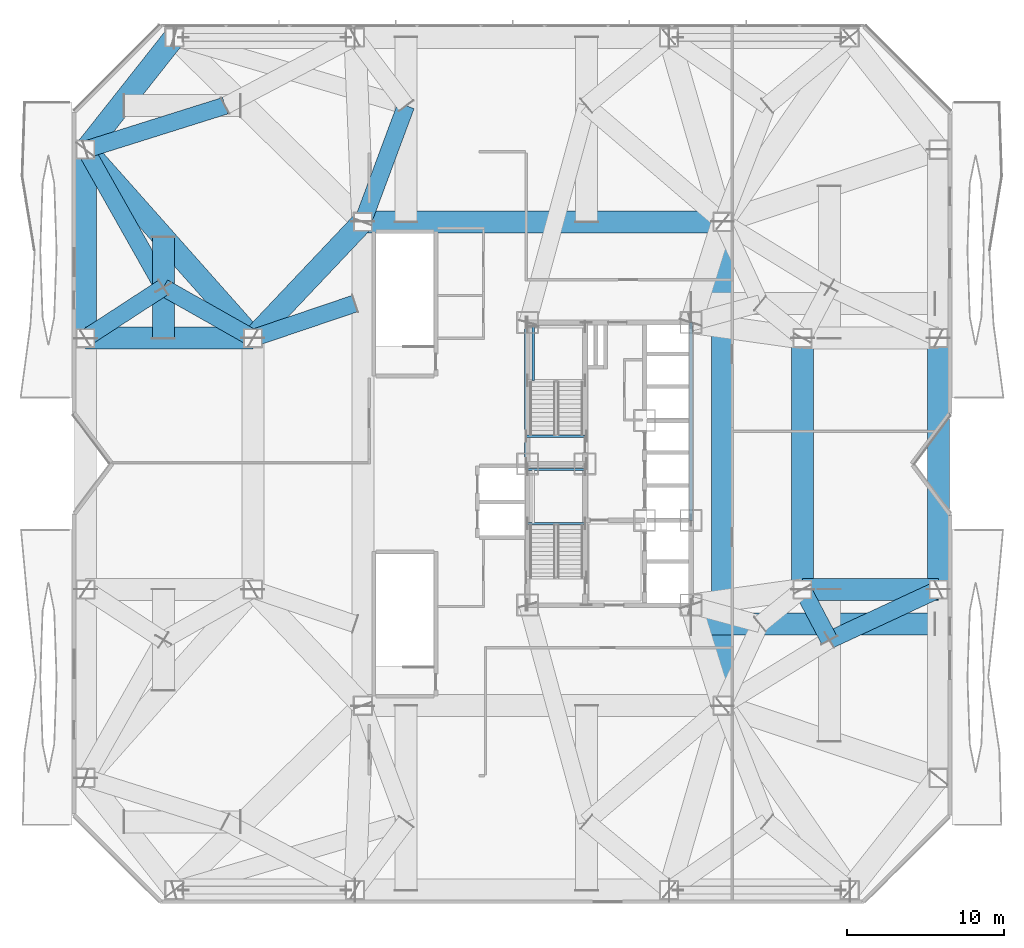
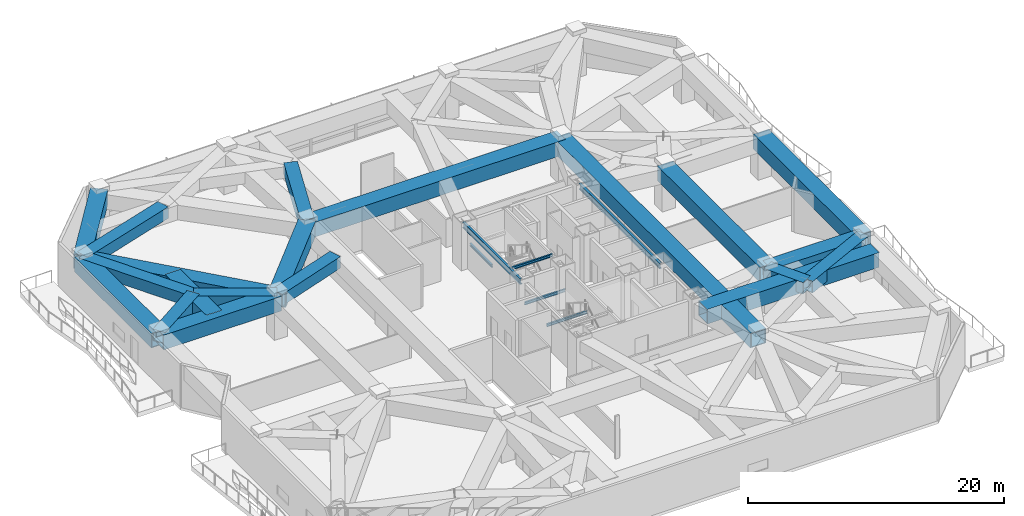
# One storey, part 2 of 27: 26 beams.
"""IFC4 building model written with IfcOpenShell, lengths in metres."""

import ifcopenshell
import ifcopenshell.guid

model = None  # the IFC model being written
_history = None  # IfcOwnerHistory: only IFC2X3 demands one
_inside = {}  # id of a spatial element -> (the spatial element, [elements in it])
_under = {}  # id of a project, library or spatial element -> (it, [spatial elements below it])
_declared = {}  # id of a project -> (the project, [libraries it declares])
_typed = {}  # id of a type object -> (the type object, [elements of that type])
_made_of = {}  # id of a material, layer set ... -> (it, [elements and type objects made of it])


def new_model(schema):
    """Start an empty IFC model of exactly this schema.

    Asked for "IFC4X3", IfcOpenShell would pick the latest addendum, in which some entities
    have other attributes; the version numbers below select the first issue.
    IFC2X3 requires an IfcOwnerHistory on every rooted entity: one is made here for all.
    """
    global model, _history
    if schema == "IFC4X3":
        model = ifcopenshell.file(schema_version=(4, 3, 0, 0))
    else:
        model = ifcopenshell.file(schema=schema)
    _inside.clear()
    _under.clear()
    _declared.clear()
    _typed.clear()
    _made_of.clear()
    _history = None
    if model.schema == "IFC2X3":
        org = make("IfcOrganization", Name="unknown")
        user = make(
            "IfcPersonAndOrganization",
            ThePerson=make("IfcPerson", FamilyName="unknown"),
            TheOrganization=org,
        )
        app = make(
            "IfcApplication",
            ApplicationDeveloper=org,
            Version="unknown",
            ApplicationFullName="unknown",
            ApplicationIdentifier="unknown",
        )
        _history = make(
            "IfcOwnerHistory",
            OwningUser=user,
            OwningApplication=app,
            ChangeAction="ADDED",
            CreationDate=0,
        )
    return model


def make(cls, **values):
    """One entity of the class cls with the attributes given. An attribute that is None is left unset."""
    return model.create_entity(
        cls, **{name: value for name, value in values.items() if value is not None}
    )


def rooted(cls, **values):
    """An entity with a GlobalId (a new one), such as an element, a storey or a relation."""
    return make(cls, GlobalId=ifcopenshell.guid.new(), OwnerHistory=_history, **values)


def si_unit(unit_type, name, prefix=None):
    """IfcSIUnit, for example si_unit("LENGTHUNIT", "METRE", prefix="MILLI")."""
    return make("IfcSIUnit", UnitType=unit_type, Prefix=prefix, Name=name)


def assignment(units):
    """IfcUnitAssignment: the units of a project."""
    return None if units is None else make("IfcUnitAssignment", Units=units)


def point(xyz):
    """IfcCartesianPoint."""
    return None if xyz is None else make("IfcCartesianPoint", Coordinates=xyz)


def direction(xyz):
    """IfcDirection."""
    return None if xyz is None else make("IfcDirection", DirectionRatios=xyz)


def frame(location, z_axis=None, x_axis=None):
    """IfcAxis2Placement3D, a coordinate frame: its origin and axes. An axis left out is left unset."""
    return make(
        "IfcAxis2Placement3D",
        Location=point(location),
        Axis=direction(z_axis),
        RefDirection=direction(x_axis),
    )


def frame_2d(location, x_axis=None):
    """IfcAxis2Placement2D, a coordinate frame in the plane: its origin and x axis."""
    return make(
        "IfcAxis2Placement2D", Location=point(location), RefDirection=direction(x_axis)
    )


def origin():
    """The frame at (0, 0, 0) with its axes left unset."""
    return frame((0.0, 0.0, 0.0))


def origin_2d():
    """The frame at (0, 0) in the plane with its x axis left unset."""
    return frame_2d((0.0, 0.0))


def place(relative_to, where):
    """IfcLocalPlacement: puts the frame where relative to a parent placement (None: the world)."""
    return make(
        "IfcLocalPlacement", PlacementRelTo=relative_to, RelativePlacement=where
    )


def context(
    kind, dimensions, precision=None, world=None, true_north=None, identifier=None
):
    """IfcGeometricRepresentationContext, for example the 3D "Model" context."""
    return make(
        "IfcGeometricRepresentationContext",
        ContextIdentifier=identifier,
        ContextType=kind,
        CoordinateSpaceDimension=dimensions,
        Precision=precision,
        WorldCoordinateSystem=world,
        TrueNorth=true_north,
    )


def subcontext(parent, identifier, kind, view, scale=None):
    """IfcGeometricRepresentationSubContext, for example "Body" below "Model"."""
    return make(
        "IfcGeometricRepresentationSubContext",
        ContextIdentifier=identifier,
        ContextType=kind,
        ParentContext=parent,
        TargetScale=scale,
        TargetView=view,
    )


def project(units=None, contexts=None):
    """IfcProject with its units and contexts."""
    return rooted(
        "IfcProject",
        Name="project",
        RepresentationContexts=contexts,
        UnitsInContext=assignment(units),
    )


def spatial(cls, under=None, at=None, **own):
    """A site, building, storey or space (cls), placed at a placement, below another one or the project."""
    s = rooted(cls, ObjectPlacement=at, **own)
    if under is not None:
        _under.setdefault(under.id(), (under, []))[1].append(s)
    return s


def profile(cls, at=None, kind="AREA", **sizes):
    """A parametric profile (cls). Its sizes go by their IFC names, for example OverallWidth=200.0."""
    return make(cls, ProfileType=kind, Position=at, **sizes)


def hollow_rectangle(**sizes):
    """IfcRectangleHollowProfileDef."""
    return profile("IfcRectangleHollowProfileDef", **sizes)


def i_section(**sizes):
    """IfcIShapeProfileDef."""
    return profile("IfcIShapeProfileDef", **sizes)


def extrude(swept, where, along, depth):
    """IfcExtrudedAreaSolid: the profile swept, set in the frame where, extruded along a direction by depth."""
    return make(
        "IfcExtrudedAreaSolid",
        SweptArea=swept,
        Position=where,
        ExtrudedDirection=direction(along),
        Depth=depth,
    )


def shape(context_of_items, identifier, shape_type, items):
    """IfcShapeRepresentation: the items that make up one representation, for example the "Body"."""
    return make(
        "IfcShapeRepresentation",
        ContextOfItems=context_of_items,
        RepresentationIdentifier=identifier,
        RepresentationType=shape_type,
        Items=items,
    )


def material(Name=None, Category=None):
    """IfcMaterial."""
    return make("IfcMaterial", Name=Name, Category=Category)


def material_profile(
    of_material, cross_section, Name=None, Category=None, Priority=None
):
    """IfcMaterialProfile: a cross section and its material."""
    return make(
        "IfcMaterialProfile",
        Name=Name,
        Material=of_material,
        Profile=cross_section,
        Priority=Priority,
        Category=Category,
    )


def profile_set(profiles, Name=None, composite=None):
    """IfcMaterialProfileSet."""
    return make(
        "IfcMaterialProfileSet",
        Name=Name,
        MaterialProfiles=profiles,
        CompositeProfile=composite,
    )


def made_of(thing, what):
    """Note that an element or type object is made of a material, layer set ...; save() writes the relation."""
    if what is not None:
        _made_of.setdefault(what.id(), (what, []))[1].append(thing)
    return thing


def type_object(cls, material=None, **own):
    """A type object (cls), such as IfcWallType, which elements share."""
    return made_of(rooted(cls, **own), material)


def element(
    cls,
    number,
    at=None,
    inside=None,
    cuts=None,
    type_object=None,
    material=None,
    context=None,
    identifier="Body",
    shape_type=None,
    held_by="IfcProductDefinitionShape",
    body=None,
    shapes=None,
    **own,
):
    """One element of the class cls, such as IfcWall. Its Tag is "e" and its number.

    at: its placement. inside: the storey or other place that contains it. cuts: it is an
    opening in that element (IfcRelVoidsElement). A single representation is given by context,
    identifier, shape_type and body (its items); several are given by shapes. held_by: the class
    of the entity that holds the representations. save() writes the other relations.
    """
    e = rooted(cls, Tag="e%d" % number, ObjectPlacement=at, **own)
    if body is not None:
        shapes = [shape(context, identifier, shape_type, body)]
    if shapes is not None:
        e.Representation = make(held_by, Representations=shapes)
    if inside is not None:
        _inside.setdefault(inside.id(), (inside, []))[1].append(e)
    if cuts is not None:
        rooted(
            "IfcRelVoidsElement", RelatingBuildingElement=cuts, RelatedOpeningElement=e
        )
    if type_object is not None:
        _typed.setdefault(type_object.id(), (type_object, []))[1].append(e)
    return made_of(e, material)


def aggregate(whole, parts):
    """IfcRelAggregates: a whole, such as a stair, and the parts it consists of."""
    return rooted("IfcRelAggregates", RelatingObject=whole, RelatedObjects=parts)


def save(model, path):
    """Write the relations noted so far, then the file.

    IfcRelAggregates (storeys below a building ...), IfcRelContainedInSpatialStructure (elements
    in a storey), IfcRelDefinesByType, IfcRelAssociatesMaterial and IfcRelDeclares: one each for
    every whole, place, type object, material and project.
    """
    for whole, parts in _under.values():
        aggregate(whole, parts)
    for where, things in _inside.values():
        rooted(
            "IfcRelContainedInSpatialStructure",
            RelatedElements=things,
            RelatingStructure=where,
        )
    for kind, things in _typed.values():
        rooted("IfcRelDefinesByType", RelatedObjects=things, RelatingType=kind)
    for what, things in _made_of.values():
        rooted("IfcRelAssociatesMaterial", RelatedObjects=things, RelatingMaterial=what)
    for by, libraries in _declared.values():
        rooted("IfcRelDeclares", RelatingContext=by, RelatedDefinitions=libraries)
    model.write(path)


model = new_model("IFC4")

# Units and contexts
model_context = context("Model", 3, precision=1e-05, world=origin(), true_north=direction((0.0, 1.0)))
body_context = subcontext(model_context, "Body", "Model", "MODEL_VIEW")
ifc_project = project(units=[si_unit("LENGTHUNIT", "METRE"), si_unit("AREAUNIT", "SQUARE_METRE"), si_unit("VOLUMEUNIT", "CUBIC_METRE"), si_unit("PLANEANGLEUNIT", "RADIAN"), si_unit("MASSUNIT", "GRAM", prefix="KILO")], contexts=[model_context])

# Site, building, storey
site_placement = place(None, origin())
site = spatial("IfcSite", under=ifc_project, at=site_placement, CompositionType="ELEMENT")
building_placement = place(site_placement, origin())
building = spatial("IfcBuilding", under=site, at=building_placement, Name="Khamvora Tower", CompositionType="ELEMENT")
storey_placement = place(building_placement, frame((0.0, 0.0, 28.800048828125)))
storey = spatial("IfcBuildingStorey", under=building, at=storey_placement, Name="L06", CompositionType="ELEMENT", Elevation=28.800048828125)

# Beams
ifc_material_1 = material(Name="Steel S355", Category="steel")
ifc_material_profile_1 = material_profile(ifc_material_1, i_section(OverallWidth=0.14697265625, OverallDepth=0.261962890625, WebThickness=0.007080078125, FlangeThickness=0.010986328125, FilletRadius=0.008056640625, at=origin_2d()), Name="W250x39")
ifc_profile_set_1 = profile_set([ifc_material_profile_1], Name="Steel S355")
beam_type_1 = type_object("IfcBeamType", Name="BM-LN-W250x39", PredefinedType="LINTEL", material=ifc_profile_set_1)
for number, where, z_axis, x_axis, name in (
    (1, (29.0, 24.195068359375, 1.9189453125), (1.0, 0.0, 0.0), (0.0, 1.0, 0.0), "L06 ST-01 half-landing support beam 1.1"),
    (2, (29.0, 27.6298828125, 1.9189453125), (1.0, 0.0, 0.0), (0.0, 1.0, 0.0), "L06 ST-01 half-landing support beam 1.2"),
):
    element("IfcBeam", number, at=place(storey_placement, frame(where, z_axis=z_axis, x_axis=x_axis)), inside=storey, type_object=beam_type_1, Name=name, PredefinedType="LINTEL", context=body_context, shape_type="SweptSolid", body=[
        extrude(i_section(OverallWidth=0.14697265625, OverallDepth=0.261962890625, WebThickness=0.007080078125, FlangeThickness=0.010986328125, FilletRadius=0.008056640625, at=origin_2d()), origin(), (0.0, 0.0, 1.0), 3.64990234375),
    ])
beam_1_placement = place(storey_placement, frame((29.35009765625, 33.294921875, 1.9189453125), z_axis=(0.0, 1.0, 0.0), x_axis=(-1.0, 0.0, 0.0)))
element("IfcBeam", 3, at=beam_1_placement, inside=storey, type_object=beam_type_1, Name="L06 ST-02 half-landing edge stringer 1", PredefinedType="LINTEL", context=body_context, shape_type="SweptSolid", body=[
    extrude(i_section(OverallWidth=0.14697265625, OverallDepth=0.261962890625, WebThickness=0.007080078125, FlangeThickness=0.010986328125, FilletRadius=0.008056640625, at=origin_2d()), origin(), (0.0, 0.0, 1.0), 3.43505859375),
])
beam_2_placement = place(storey_placement, frame((28.89990234375, 29.75, 3.953857421875), z_axis=(1.0, 0.0, 0.0), x_axis=(0.0, 1.0, 0.0)))
element("IfcBeam", 4, at=beam_2_placement, inside=storey, type_object=beam_type_1, Name="L06 exit stair ST-02 landing trimmer beam", PredefinedType="LINTEL", context=body_context, shape_type="SweptSolid", body=[
    extrude(i_section(OverallWidth=0.14697265625, OverallDepth=0.261962890625, WebThickness=0.007080078125, FlangeThickness=0.010986328125, FilletRadius=0.008056640625, at=origin_2d()), origin(), (0.0, 0.0, 1.0), 3.830078125),
])
ifc_material_profile_2 = material_profile(ifc_material_1, i_section(OverallWidth=0.208984375, OverallDepth=0.532958984375, WebThickness=0.010009765625, FlangeThickness=0.01611328125, FilletRadius=0.013916015625, at=origin_2d()), Name="W530x92")
ifc_profile_set_2 = profile_set([ifc_material_profile_2], Name="Steel S355")
beam_type_2 = type_object("IfcBeamType", Name="BM-SP-W530x92", PredefinedType="SPANDREL", material=ifc_profile_set_2)
beam_3_placement = place(storey_placement, frame((28.89990234375, 28.0, 3.81396484375), z_axis=(0.0, 1.0, 0.0), x_axis=(-1.0, 0.0, 0.0)))
element("IfcBeam", 5, at=beam_3_placement, inside=storey, type_object=beam_type_2, Name="L06 core spine girder WN", PredefinedType="SPANDREL", context=body_context, shape_type="SweptSolid", body=[
    extrude(i_section(OverallWidth=0.208984375, OverallDepth=0.532958984375, WebThickness=0.010009765625, FlangeThickness=0.01611328125, FilletRadius=0.013916015625, at=origin_2d()), origin(), (0.0, 0.0, 1.0), 9.0),
])
beam_4_placement = place(storey_placement, frame((39.39990234375, 24.39990234375, 3.81396484375), z_axis=(0.0, 1.0, 0.0), x_axis=(-1.0, 0.0, 0.0)))
element("IfcBeam", 6, at=beam_4_placement, inside=storey, type_object=beam_type_2, Name="L06 core spine girder EN", PredefinedType="SPANDREL", context=body_context, shape_type="SweptSolid", body=[
    extrude(i_section(OverallWidth=0.208984375, OverallDepth=0.532958984375, WebThickness=0.010009765625, FlangeThickness=0.01611328125, FilletRadius=0.013916015625, at=origin_2d()), origin(), (0.0, 0.0, 1.0), 12.60009765625),
])
ifc_material_2 = material(Name="Steel S460", Category="steel")
ifc_material_profile_3 = material_profile(ifc_material_2, hollow_rectangle(XDim=1.10009765625, YDim=1.10009765625, WallThickness=0.054931640625, at=origin_2d()), Name="BOX1100x1100x55")
ifc_profile_set_3 = profile_set([ifc_material_profile_3], Name="Steel S460")
beam_type_3 = type_object("IfcBeamType", Name="BM-TG-BOX1100", PredefinedType="BEAM", material=ifc_profile_set_3)
beam_5_placement = place(storey_placement, frame((0.85009765625, 48.0, 3.530029296875), z_axis=(0.953903643522, 0.300113043495, 0.0), x_axis=(-0.300113043495, 0.953903643522, 0.0)))
element("IfcBeam", 7, at=beam_5_placement, inside=storey, type_object=beam_type_3, Name="L06 setback frame transfer frame transfer link N1.3", PredefinedType="BEAM", context=body_context, shape_type="SweptSolid", body=[
    extrude(hollow_rectangle(XDim=1.10009765625, YDim=1.10009765625, WallThickness=0.054931640625, at=origin_2d()), origin(), (0.0, 0.0, 1.0), 9.330078125),
])
beam_6_placement = place(storey_placement, frame((18.5, 43.39990234375, 3.530029296875), z_axis=(0.348339486267, 0.937368445334, 0.0), x_axis=(-0.937368445334, 0.348339486267, 0.0)))
element("IfcBeam", 8, at=beam_6_placement, inside=storey, type_object=beam_type_3, Name="L06 setback frame transfer frame transfer link N2.2", PredefinedType="BEAM", context=body_context, shape_type="SweptSolid", body=[
    extrude(hollow_rectangle(XDim=1.10009765625, YDim=1.10009765625, WallThickness=0.054931640625, at=origin_2d()), origin(), (0.0, 0.0, 1.0), 7.89453125),
])
beam_7_placement = place(storey_placement, frame((0.85009765625, 36.0, 3.530029296875), z_axis=(0.837853035048, 0.545895861553, 0.0), x_axis=(-0.545895861553, 0.837853035048, 0.0)))
element("IfcBeam", 9, at=beam_7_placement, inside=storey, type_object=beam_type_3, Name="L06 setback frame transfer frame transfer link W2.1", PredefinedType="BEAM", context=body_context, shape_type="SweptSolid", body=[
    extrude(hollow_rectangle(XDim=1.10009765625, YDim=1.10009765625, WallThickness=0.054931640625, at=origin_2d()), origin(), (0.0, 0.0, 1.0), 5.907958984375),
])
beam_8_placement = place(storey_placement, frame((11.5, 36.0, 3.530029296875), z_axis=(-0.87034126921, 0.492449058391, 0.0), x_axis=(-0.492449058391, -0.87034126921, 0.0)))
element("IfcBeam", 10, at=beam_8_placement, inside=storey, type_object=beam_type_3, Name="L06 setback frame transfer frame transfer link W2.2", PredefinedType="BEAM", context=body_context, shape_type="SweptSolid", body=[
    extrude(hollow_rectangle(XDim=1.10009765625, YDim=1.10009765625, WallThickness=0.054931640625, at=origin_2d()), origin(), (0.0, 0.0, 1.0), 6.549072265625),
])
beam_9_placement = place(storey_placement, frame((0.85009765625, 48.0, 3.530029296875), z_axis=(0.491321658295, -0.870978201846, 0.0), x_axis=(0.870978201846, 0.491321658295, 0.0)))
element("IfcBeam", 11, at=beam_9_placement, inside=storey, type_object=beam_type_3, Name="L06 setback frame transfer frame transfer link W2.3", PredefinedType="BEAM", context=body_context, shape_type="SweptSolid", body=[
    extrude(hollow_rectangle(XDim=1.10009765625, YDim=1.10009765625, WallThickness=0.054931640625, at=origin_2d()), origin(), (0.0, 0.0, 1.0), 10.07470703125),
])
beam_10_placement = place(storey_placement, frame((46.5, 20.0, 3.530029296875), z_axis=(0.466290069128, -0.884631884703, 0.0), x_axis=(0.884631884703, 0.466290069128, 0.0)))
element("IfcBeam", 12, at=beam_10_placement, inside=storey, type_object=beam_type_3, Name="L06 setback frame transfer frame transfer link E1.1", PredefinedType="BEAM", context=body_context, shape_type="SweptSolid", body=[
    extrude(hollow_rectangle(XDim=1.10009765625, YDim=1.10009765625, WallThickness=0.054931640625, at=origin_2d()), origin(), (0.0, 0.0, 1.0), 3.645751953125),
])
beam_11_placement = place(storey_placement, frame((55.14990234375, 20.0, 3.530029296875), z_axis=(-0.907091972169, -0.420932481553, 0.0), x_axis=(0.420932481553, -0.907091972169, 0.0)))
element("IfcBeam", 13, at=beam_11_placement, inside=storey, type_object=beam_type_3, Name="L06 setback frame transfer frame transfer link E1.2", PredefinedType="BEAM", context=body_context, shape_type="SweptSolid", body=[
    extrude(hollow_rectangle(XDim=1.10009765625, YDim=1.10009765625, WallThickness=0.054931640625, at=origin_2d()), origin(), (0.0, 0.0, 1.0), 7.661865234375),
])
beam_12_placement = place(storey_placement, frame((11.5, 36.0, 3.530029296875), z_axis=(0.947218130348, 0.320589790136, 0.0), x_axis=(-0.320589790136, 0.947218130348, 0.0)))
element("IfcBeam", 14, at=beam_12_placement, inside=storey, type_object=beam_type_3, Name="L06 setback frame transfer frame transfer link MW2.2", PredefinedType="BEAM", context=body_context, shape_type="SweptSolid", body=[
    extrude(hollow_rectangle(XDim=1.10009765625, YDim=1.10009765625, WallThickness=0.054931640625, at=origin_2d()), origin(), (0.0, 0.0, 1.0), 6.8623046875),
])
ifc_material_profile_4 = material_profile(ifc_material_2, hollow_rectangle(XDim=1.39990234375, YDim=1.39990234375, WallThickness=0.070068359375, at=origin_2d()), Name="BOX1400x1400x70")
ifc_profile_set_4 = profile_set([ifc_material_profile_4], Name="Steel S460")
beam_type_4 = type_object("IfcBeamType", Name="BM-TG-BOX1400", PredefinedType="BEAM", material=ifc_profile_set_4)
beam_13_placement = place(storey_placement, frame((55.14990234375, 20.0, 3.3798828125), z_axis=(0.0, 1.0, 0.0), x_axis=(-1.0, 0.0, 0.0)))
element("IfcBeam", 15, at=beam_13_placement, inside=storey, type_object=beam_type_4, Name="L06 perimeter spandrel beam P14-P15", PredefinedType="BEAM", context=body_context, shape_type="SweptSolid", body=[
    extrude(hollow_rectangle(XDim=1.39990234375, YDim=1.39990234375, WallThickness=0.070068359375, at=origin_2d()), origin(), (0.0, 0.0, 1.0), 16.0),
])
beam_14_placement = place(storey_placement, frame((6.5, 55.14990234375, 3.3798828125), z_axis=(-0.619998635429, -0.784602888133, 0.0), x_axis=(0.784602888133, -0.619998635429, 0.0)))
element("IfcBeam", 16, at=beam_14_placement, inside=storey, type_object=beam_type_4, Name="L06 perimeter spandrel beam P05-P12", PredefinedType="BEAM", context=body_context, shape_type="SweptSolid", body=[
    extrude(hollow_rectangle(XDim=1.39990234375, YDim=1.39990234375, WallThickness=0.070068359375, at=origin_2d()), origin(), (0.0, 0.0, 1.0), 9.11279296875),
])
beam_15_placement = place(storey_placement, frame((0.85009765625, 48.0, 3.3798828125), z_axis=(0.0, -1.0, 0.0), x_axis=(1.0, 0.0, 0.0)))
element("IfcBeam", 17, at=beam_15_placement, inside=storey, type_object=beam_type_4, Name="L06 perimeter spandrel beam P12-P11", PredefinedType="BEAM", context=body_context, shape_type="SweptSolid", body=[
    extrude(hollow_rectangle(XDim=1.39990234375, YDim=1.39990234375, WallThickness=0.070068359375, at=origin_2d()), origin(), (0.0, 0.0, 1.0), 12.0),
])
beam_16_placement = place(storey_placement, frame((41.39990234375, 12.60009765625, 3.3798828125), z_axis=(0.0, 1.0, 0.0), x_axis=(-1.0, 0.0, 0.0)))
element("IfcBeam", 18, at=beam_16_placement, inside=storey, type_object=beam_type_4, Name="L06 longitudinal frame girder P18-P20", PredefinedType="BEAM", context=body_context, shape_type="SweptSolid", body=[
    extrude(hollow_rectangle(XDim=1.39990234375, YDim=1.39990234375, WallThickness=0.070068359375, at=origin_2d()), origin(), (0.0, 0.0, 1.0), 30.7998046875),
])
beam_17_placement = place(storey_placement, frame((18.5, 43.39990234375, 3.3798828125), z_axis=(1.0, 0.0, 0.0), x_axis=(0.0, 1.0, 0.0)))
element("IfcBeam", 19, at=beam_17_placement, inside=storey, type_object=beam_type_4, Name="L06 longitudinal frame girder P19-P20", PredefinedType="BEAM", context=body_context, shape_type="SweptSolid", body=[
    extrude(hollow_rectangle(XDim=1.39990234375, YDim=1.39990234375, WallThickness=0.070068359375, at=origin_2d()), origin(), (0.0, 0.0, 1.0), 22.89990234375),
])
beam_18_placement = place(storey_placement, frame((46.5, 20.0, 3.3798828125), z_axis=(0.0, 1.0, 0.0), x_axis=(-1.0, 0.0, 0.0)))
element("IfcBeam", 20, at=beam_18_placement, inside=storey, type_object=beam_type_4, Name="L06 longitudinal frame girder P23-P24", PredefinedType="BEAM", context=body_context, shape_type="SweptSolid", body=[
    extrude(hollow_rectangle(XDim=1.39990234375, YDim=1.39990234375, WallThickness=0.070068359375, at=origin_2d()), origin(), (0.0, 0.0, 1.0), 16.0),
])
beam_19_placement = place(storey_placement, frame((11.5, 36.0, 3.3798828125), z_axis=(-1.0, 0.0, 0.0), x_axis=(0.0, -1.0, 0.0)))
element("IfcBeam", 21, at=beam_19_placement, inside=storey, type_object=beam_type_4, Name="L06 primary floor girder P11", PredefinedType="BEAM", context=body_context, shape_type="SweptSolid", body=[
    extrude(hollow_rectangle(XDim=1.39990234375, YDim=1.39990234375, WallThickness=0.070068359375, at=origin_2d()), origin(), (0.0, 0.0, 1.0), 10.64990234375),
])
beam_20_placement = place(storey_placement, frame((11.5, 36.0, 3.3798828125), z_axis=(-0.6637799472, 0.747927925468, 0.0), x_axis=(-0.747927925468, -0.6637799472, 0.0)))
element("IfcBeam", 22, at=beam_20_placement, inside=storey, type_object=beam_type_4, Name="L06 primary floor girder P12", PredefinedType="BEAM", context=body_context, shape_type="SweptSolid", body=[
    extrude(hollow_rectangle(XDim=1.39990234375, YDim=1.39990234375, WallThickness=0.070068359375, at=origin_2d()), origin(), (0.0, 0.0, 1.0), 16.04443359375),
])
beam_21_placement = place(storey_placement, frame((46.5, 20.0, 3.3798828125), z_axis=(1.0, 0.0, 0.0), x_axis=(0.0, 1.0, 0.0)))
element("IfcBeam", 23, at=beam_21_placement, inside=storey, type_object=beam_type_4, Name="L06 primary floor girder P14", PredefinedType="BEAM", context=body_context, shape_type="SweptSolid", body=[
    extrude(hollow_rectangle(XDim=1.39990234375, YDim=1.39990234375, WallThickness=0.070068359375, at=origin_2d()), origin(), (0.0, 0.0, 1.0), 8.64990234375),
])
beam_22_placement = place(storey_placement, frame((18.5, 43.39990234375, 3.3798828125), z_axis=(-0.687204640029, -0.726463889483, 0.0), x_axis=(0.726463889483, -0.687204640029, 0.0)))
element("IfcBeam", 24, at=beam_22_placement, inside=storey, type_object=beam_type_4, Name="L06 primary floor girder P22", PredefinedType="BEAM", context=body_context, shape_type="SweptSolid", body=[
    extrude(hollow_rectangle(XDim=1.39990234375, YDim=1.39990234375, WallThickness=0.070068359375, at=origin_2d()), origin(), (0.0, 0.0, 1.0), 10.186279296875),
])
beam_23_placement = place(storey_placement, frame((5.800048828125, 36.0, 3.3798828125), z_axis=(0.0, 1.0, 0.0), x_axis=(-1.0, 0.0, 0.0)))
element("IfcBeam", 25, at=beam_23_placement, inside=storey, type_object=beam_type_4, Name="L06 setback frame transfer Box Girder W2", PredefinedType="BEAM", context=body_context, shape_type="SweptSolid", body=[
    extrude(hollow_rectangle(XDim=1.39990234375, YDim=1.39990234375, WallThickness=0.070068359375, at=origin_2d()), origin(), (0.0, 0.0, 1.0), 6.423095703125),
])
beam_24_placement = place(storey_placement, frame((39.39990234375, 17.800048828125, 3.3798828125), z_axis=(1.0, 0.0, 0.0), x_axis=(0.0, 1.0, 0.0)))
element("IfcBeam", 26, at=beam_24_placement, inside=storey, type_object=beam_type_4, Name="L06 setback frame transfer Box Girder MW1", PredefinedType="BEAM", context=body_context, shape_type="SweptSolid", body=[
    extrude(hollow_rectangle(XDim=1.39990234375, YDim=1.39990234375, WallThickness=0.070068359375, at=origin_2d()), origin(), (0.0, 0.0, 1.0), 15.510009765625),
])

save(model, "model.ifc")
